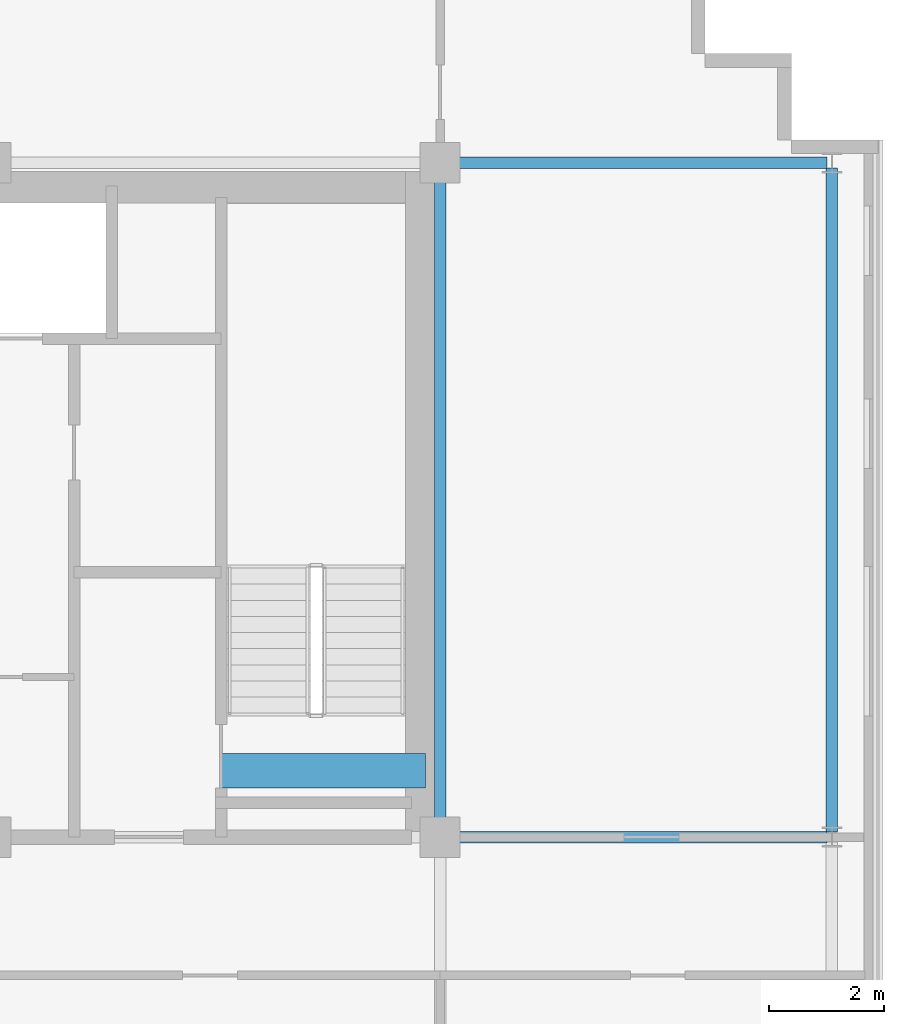
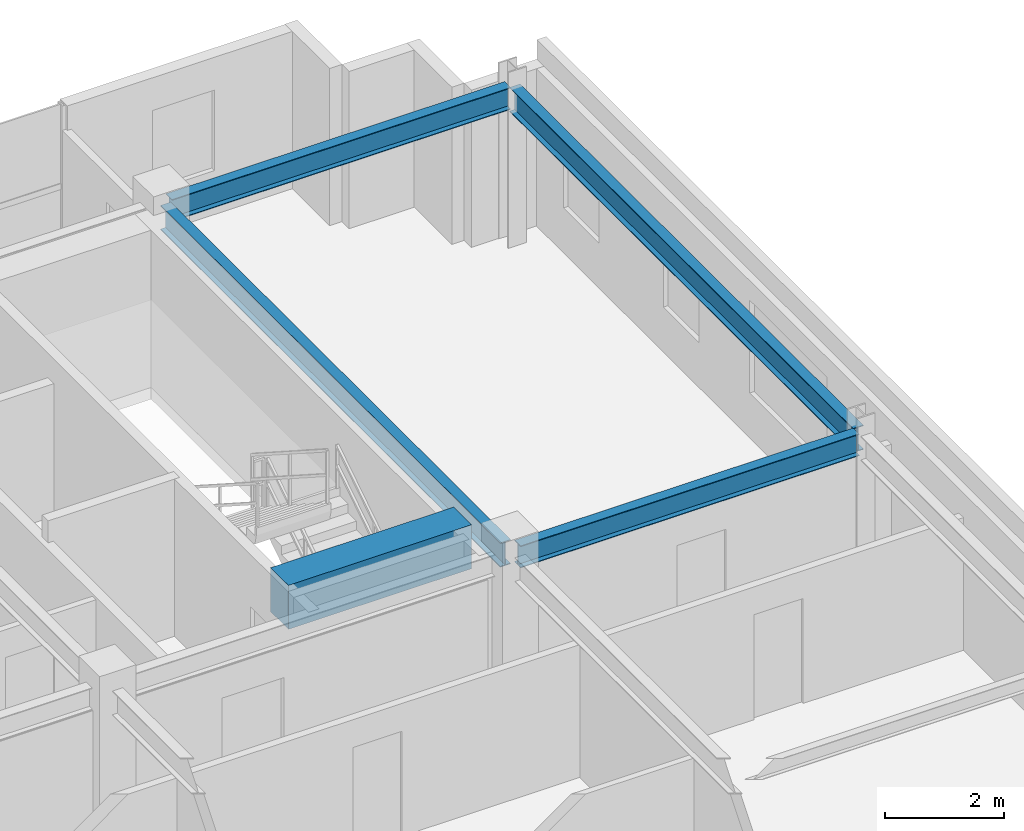
# One storey, part 17 of 27: 5 beams.
"""IFC4 building model written with IfcOpenShell, lengths in metres."""

from ifc_helpers import new_model, si_unit, direction, frame, origin, origin_2d, place, context, subcontext, project, spatial, rectangle, i_section, extrude, source, transform, mapped, material, material_profile, profile_set, type_object, element, save


model = new_model("IFC4")

# Units and contexts
model_context = context("Model", 3, precision=1e-05, world=origin(), true_north=direction((0.0, 1.0)))
body_context = subcontext(model_context, "Body", "Model", "MODEL_VIEW")
ifc_project = project(units=[si_unit("LENGTHUNIT", "METRE"), si_unit("AREAUNIT", "SQUARE_METRE"), si_unit("VOLUMEUNIT", "CUBIC_METRE"), si_unit("PLANEANGLEUNIT", "RADIAN"), si_unit("MASSUNIT", "GRAM", prefix="KILO")], contexts=[model_context])

# Site, building, storey
site_placement = place(None, origin())
site = spatial("IfcSite", under=ifc_project, at=site_placement, CompositionType="ELEMENT")
building_placement = place(site_placement, origin())
building = spatial("IfcBuilding", under=site, at=building_placement, Name="Trelvane Seafront Commons", CompositionType="ELEMENT")
storey_placement = place(building_placement, frame((0.0, 0.0, 237.300048828125)))
storey = spatial("IfcBuildingStorey", under=building, at=storey_placement, Name="L62", CompositionType="ELEMENT", Elevation=237.300048828125)

# Beams
ifc_material_1 = material(Name="Concrete C60/75", Category="concrete")
ifc_material_profile_1 = material_profile(ifc_material_1, rectangle(XDim=0.60009765625, YDim=0.89990234375, at=origin_2d()), Name="RC-600x900")
ifc_profile_set_1 = profile_set([ifc_material_profile_1], Name="Concrete C60/75")
beam_type_1 = type_object("IfcBeamType", Name="STR-LNT-RC600x900", PredefinedType="LINTEL", material=ifc_profile_set_1)
shared_shape_1 = source(origin(), body_context, "Body", "SweptSolid", [
    extrude(rectangle(XDim=0.60009765625, YDim=0.89990234375, at=origin_2d()), origin(), (0.0, 0.0, 1.0), 3.550048828125),
])
beam_1_placement = place(storey_placement, frame((55.0, 34.550048828125, 2.77001953125), z_axis=(1.0, 0.0, 0.0), x_axis=(0.0, 1.0, 0.0)))
element("IfcBeam", 1, at=beam_1_placement, inside=storey, type_object=beam_type_1, Name="L62 Core Coupling Lintel Beam CB-66", PredefinedType="LINTEL", context=body_context, shape_type="MappedRepresentation", body=[
    mapped(shared_shape_1, transform((0.0, 0.0, 0.0), x_axis=(1.0, 0.0, 0.0), y_axis=(0.0, 1.0, 0.0), z_axis=(0.0, 0.0, 1.0), scale=1.0)),
])
ifc_material_2 = material(Name="Steel SM355 (S355)", Category="steel")
ifc_material_profile_2 = material_profile(ifc_material_2, i_section(OverallWidth=0.199951171875, OverallDepth=0.5, WebThickness=0.010009765625, FlangeThickness=0.01611328125, at=origin_2d()), Name="H-500x200x10x16")
ifc_profile_set_2 = profile_set([ifc_material_profile_2], Name="Steel SM355 (S355)")
beam_type_2 = type_object("IfcBeamType", Name="STR-BM-H500", PredefinedType="BEAM", material=ifc_profile_set_2)
shared_shape_2 = source(origin(), body_context, "Body", "SweptSolid", [
    extrude(i_section(OverallWidth=0.199951171875, OverallDepth=0.5, WebThickness=0.010009765625, FlangeThickness=0.01611328125, at=origin_2d()), origin(), (0.0, 0.0, 1.0), 11.39990234375),
])
beam_2_placement = place(storey_placement, frame((58.800048828125, 33.550048828125, 2.969970703125), z_axis=(0.0, 1.0, 0.0), x_axis=(-1.0, 0.0, 0.0)))
element("IfcBeam", 2, at=beam_2_placement, inside=storey, type_object=beam_type_2, Name="L62 Primary Girder G-49", PredefinedType="BEAM", context=body_context, shape_type="MappedRepresentation", body=[
    mapped(shared_shape_2, transform((0.0, 0.0, 0.0), x_axis=(1.0, 0.0, 0.0), y_axis=(0.0, 1.0, 0.0), z_axis=(0.0, 0.0, 1.0), scale=1.0)),
])
ifc_material_profile_3 = material_profile(ifc_material_2, i_section(OverallWidth=0.199951171875, OverallDepth=0.449951171875, WebThickness=0.009033203125, FlangeThickness=0.013916015625, at=origin_2d()), Name="H-450x200x9x14")
ifc_profile_set_3 = profile_set([ifc_material_profile_3], Name="Steel SM355 (S355)")
beam_type_3 = type_object("IfcBeamType", Name="STR-SPD-H450", PredefinedType="SPANDREL", material=ifc_profile_set_3)
shared_shape_3 = source(origin(), body_context, "Body", "SweptSolid", [
    extrude(i_section(OverallWidth=0.199951171875, OverallDepth=0.449951171875, WebThickness=0.009033203125, FlangeThickness=0.013916015625, at=origin_2d()), origin(), (0.0, 0.0, 1.0), 6.5625),
])
for number, where, z_axis, x_axis, name in (
    (3, (58.949951171875, 33.39990234375, 2.994873046875), (1.0, 0.0, 0.0), (0.0, 1.0, 0.0), "L62 Primary Girder G-21"),
    (4, (58.949951171875, 45.10009765625, 2.994873046875), (1.0, 0.0, 0.0), (0.0, 1.0, 0.0), "L62 Primary Girder G-28"),
):
    element("IfcBeam", number, at=place(storey_placement, frame(where, z_axis=z_axis, x_axis=x_axis)), inside=storey, type_object=beam_type_3, Name=name, PredefinedType="SPANDREL", context=body_context, shape_type="MappedRepresentation", body=[
        mapped(shared_shape_3, transform((0.0, 0.0, 0.0), x_axis=(1.0, 0.0, 0.0), y_axis=(0.0, 1.0, 0.0), z_axis=(0.0, 0.0, 1.0), scale=1.0)),
    ])
shared_shape_4 = source(origin(), body_context, "Body", "SweptSolid", [
    extrude(i_section(OverallWidth=0.199951171875, OverallDepth=0.5, WebThickness=0.010009765625, FlangeThickness=0.01611328125, at=origin_2d()), origin(), (0.0, 0.0, 1.0), 11.52490234375),
])
beam_3_placement = place(storey_placement, frame((65.60009765625, 33.487548828125, 2.969970703125), z_axis=(0.0, 1.0, 0.0), x_axis=(-1.0, 0.0, 0.0)))
element("IfcBeam", 5, at=beam_3_placement, inside=storey, type_object=beam_type_2, Name="L62 Primary Girder G-52", PredefinedType="BEAM", context=body_context, shape_type="MappedRepresentation", body=[
    mapped(shared_shape_4, transform((0.0, 0.0, 0.0), x_axis=(1.0, 0.0, 0.0), y_axis=(0.0, 1.0, 0.0), z_axis=(0.0, 0.0, 1.0), scale=1.0)),
])

save(model, "model.ifc")
